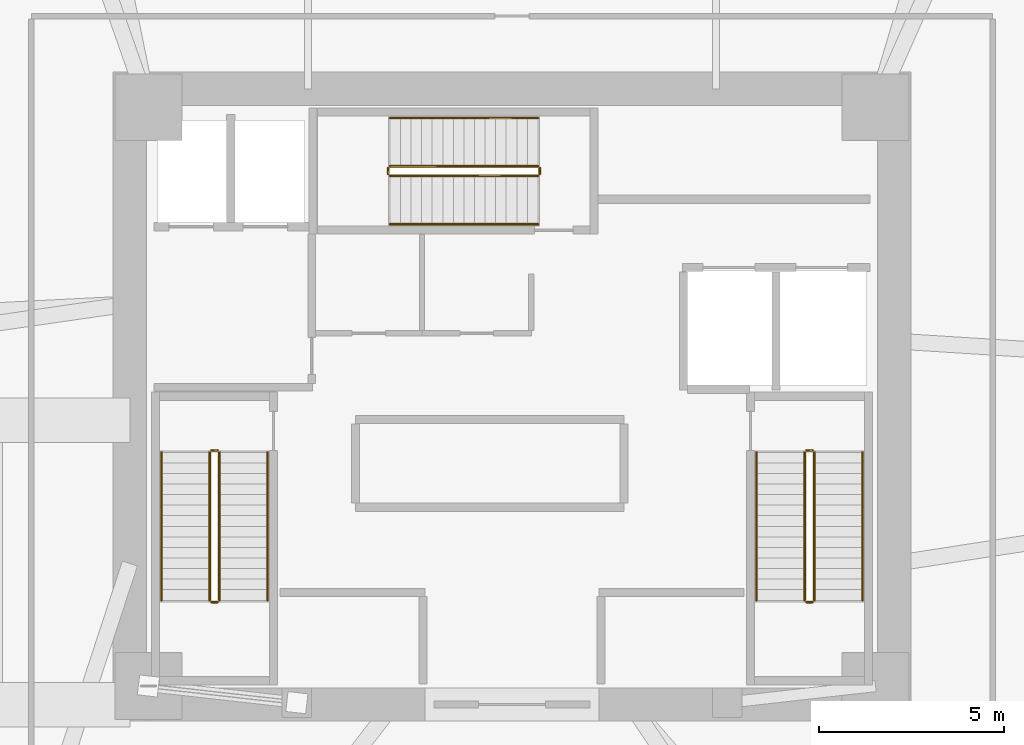
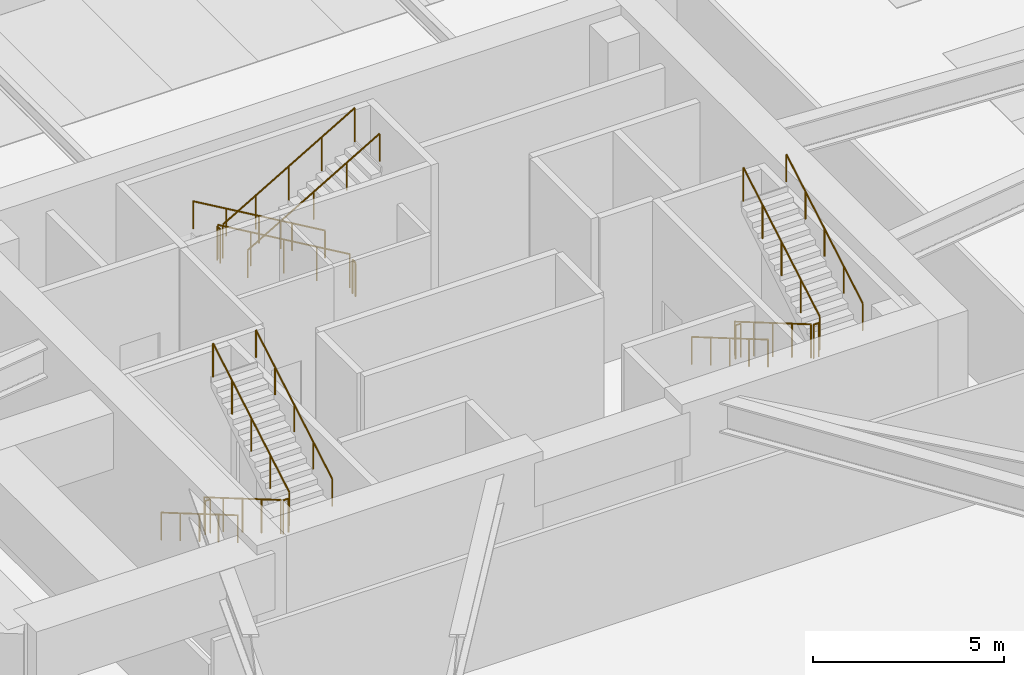
# One storey, part 8 of 8: 18 railings.
"""IFC4 building model written with IfcOpenShell, lengths in metres."""

import ifcopenshell
import ifcopenshell.guid

model = None  # the IFC model being written
_history = None  # IfcOwnerHistory: only IFC2X3 demands one
_inside = {}  # id of a spatial element -> (the spatial element, [elements in it])
_under = {}  # id of a project, library or spatial element -> (it, [spatial elements below it])
_declared = {}  # id of a project -> (the project, [libraries it declares])
_typed = {}  # id of a type object -> (the type object, [elements of that type])
_made_of = {}  # id of a material, layer set ... -> (it, [elements and type objects made of it])


def new_model(schema):
    """Start an empty IFC model of exactly this schema.

    Asked for "IFC4X3", IfcOpenShell would pick the latest addendum, in which some entities
    have other attributes; the version numbers below select the first issue.
    IFC2X3 requires an IfcOwnerHistory on every rooted entity: one is made here for all.
    """
    global model, _history
    if schema == "IFC4X3":
        model = ifcopenshell.file(schema_version=(4, 3, 0, 0))
    else:
        model = ifcopenshell.file(schema=schema)
    _inside.clear()
    _under.clear()
    _declared.clear()
    _typed.clear()
    _made_of.clear()
    _history = None
    if model.schema == "IFC2X3":
        org = make("IfcOrganization", Name="unknown")
        user = make(
            "IfcPersonAndOrganization",
            ThePerson=make("IfcPerson", FamilyName="unknown"),
            TheOrganization=org,
        )
        app = make(
            "IfcApplication",
            ApplicationDeveloper=org,
            Version="unknown",
            ApplicationFullName="unknown",
            ApplicationIdentifier="unknown",
        )
        _history = make(
            "IfcOwnerHistory",
            OwningUser=user,
            OwningApplication=app,
            ChangeAction="ADDED",
            CreationDate=0,
        )
    return model


def make(cls, **values):
    """One entity of the class cls with the attributes given. An attribute that is None is left unset."""
    return model.create_entity(
        cls, **{name: value for name, value in values.items() if value is not None}
    )


def rooted(cls, **values):
    """An entity with a GlobalId (a new one), such as an element, a storey or a relation."""
    return make(cls, GlobalId=ifcopenshell.guid.new(), OwnerHistory=_history, **values)


def si_unit(unit_type, name, prefix=None):
    """IfcSIUnit, for example si_unit("LENGTHUNIT", "METRE", prefix="MILLI")."""
    return make("IfcSIUnit", UnitType=unit_type, Prefix=prefix, Name=name)


def assignment(units):
    """IfcUnitAssignment: the units of a project."""
    return None if units is None else make("IfcUnitAssignment", Units=units)


def point(xyz):
    """IfcCartesianPoint."""
    return None if xyz is None else make("IfcCartesianPoint", Coordinates=xyz)


def direction(xyz):
    """IfcDirection."""
    return None if xyz is None else make("IfcDirection", DirectionRatios=xyz)


def frame(location, z_axis=None, x_axis=None):
    """IfcAxis2Placement3D, a coordinate frame: its origin and axes. An axis left out is left unset."""
    return make(
        "IfcAxis2Placement3D",
        Location=point(location),
        Axis=direction(z_axis),
        RefDirection=direction(x_axis),
    )


def frame_2d(location, x_axis=None):
    """IfcAxis2Placement2D, a coordinate frame in the plane: its origin and x axis."""
    return make(
        "IfcAxis2Placement2D", Location=point(location), RefDirection=direction(x_axis)
    )


def origin():
    """The frame at (0, 0, 0) with its axes left unset."""
    return frame((0.0, 0.0, 0.0))


def origin_2d():
    """The frame at (0, 0) in the plane with its x axis left unset."""
    return frame_2d((0.0, 0.0))


def place(relative_to, where):
    """IfcLocalPlacement: puts the frame where relative to a parent placement (None: the world)."""
    return make(
        "IfcLocalPlacement", PlacementRelTo=relative_to, RelativePlacement=where
    )


def context(
    kind, dimensions, precision=None, world=None, true_north=None, identifier=None
):
    """IfcGeometricRepresentationContext, for example the 3D "Model" context."""
    return make(
        "IfcGeometricRepresentationContext",
        ContextIdentifier=identifier,
        ContextType=kind,
        CoordinateSpaceDimension=dimensions,
        Precision=precision,
        WorldCoordinateSystem=world,
        TrueNorth=true_north,
    )


def subcontext(parent, identifier, kind, view, scale=None):
    """IfcGeometricRepresentationSubContext, for example "Body" below "Model"."""
    return make(
        "IfcGeometricRepresentationSubContext",
        ContextIdentifier=identifier,
        ContextType=kind,
        ParentContext=parent,
        TargetScale=scale,
        TargetView=view,
    )


def project(units=None, contexts=None):
    """IfcProject with its units and contexts."""
    return rooted(
        "IfcProject",
        Name="project",
        RepresentationContexts=contexts,
        UnitsInContext=assignment(units),
    )


def spatial(cls, under=None, at=None, **own):
    """A site, building, storey or space (cls), placed at a placement, below another one or the project."""
    s = rooted(cls, ObjectPlacement=at, **own)
    if under is not None:
        _under.setdefault(under.id(), (under, []))[1].append(s)
    return s


def profile(cls, at=None, kind="AREA", **sizes):
    """A parametric profile (cls). Its sizes go by their IFC names, for example OverallWidth=200.0."""
    return make(cls, ProfileType=kind, Position=at, **sizes)


def circle(**sizes):
    """IfcCircleProfileDef."""
    return profile("IfcCircleProfileDef", **sizes)


def extrude(swept, where, along, depth):
    """IfcExtrudedAreaSolid: the profile swept, set in the frame where, extruded along a direction by depth."""
    return make(
        "IfcExtrudedAreaSolid",
        SweptArea=swept,
        Position=where,
        ExtrudedDirection=direction(along),
        Depth=depth,
    )


def shape(context_of_items, identifier, shape_type, items):
    """IfcShapeRepresentation: the items that make up one representation, for example the "Body"."""
    return make(
        "IfcShapeRepresentation",
        ContextOfItems=context_of_items,
        RepresentationIdentifier=identifier,
        RepresentationType=shape_type,
        Items=items,
    )


def material(Name=None, Category=None):
    """IfcMaterial."""
    return make("IfcMaterial", Name=Name, Category=Category)


def made_of(thing, what):
    """Note that an element or type object is made of a material, layer set ...; save() writes the relation."""
    if what is not None:
        _made_of.setdefault(what.id(), (what, []))[1].append(thing)
    return thing


def type_object(cls, material=None, **own):
    """A type object (cls), such as IfcWallType, which elements share."""
    return made_of(rooted(cls, **own), material)


def element(
    cls,
    number,
    at=None,
    inside=None,
    cuts=None,
    type_object=None,
    material=None,
    context=None,
    identifier="Body",
    shape_type=None,
    held_by="IfcProductDefinitionShape",
    body=None,
    shapes=None,
    **own,
):
    """One element of the class cls, such as IfcWall. Its Tag is "e" and its number.

    at: its placement. inside: the storey or other place that contains it. cuts: it is an
    opening in that element (IfcRelVoidsElement). A single representation is given by context,
    identifier, shape_type and body (its items); several are given by shapes. held_by: the class
    of the entity that holds the representations. save() writes the other relations.
    """
    e = rooted(cls, Tag="e%d" % number, ObjectPlacement=at, **own)
    if body is not None:
        shapes = [shape(context, identifier, shape_type, body)]
    if shapes is not None:
        e.Representation = make(held_by, Representations=shapes)
    if inside is not None:
        _inside.setdefault(inside.id(), (inside, []))[1].append(e)
    if cuts is not None:
        rooted(
            "IfcRelVoidsElement", RelatingBuildingElement=cuts, RelatedOpeningElement=e
        )
    if type_object is not None:
        _typed.setdefault(type_object.id(), (type_object, []))[1].append(e)
    return made_of(e, material)


def aggregate(whole, parts):
    """IfcRelAggregates: a whole, such as a stair, and the parts it consists of."""
    return rooted("IfcRelAggregates", RelatingObject=whole, RelatedObjects=parts)


def save(model, path):
    """Write the relations noted so far, then the file.

    IfcRelAggregates (storeys below a building ...), IfcRelContainedInSpatialStructure (elements
    in a storey), IfcRelDefinesByType, IfcRelAssociatesMaterial and IfcRelDeclares: one each for
    every whole, place, type object, material and project.
    """
    for whole, parts in _under.values():
        aggregate(whole, parts)
    for where, things in _inside.values():
        rooted(
            "IfcRelContainedInSpatialStructure",
            RelatedElements=things,
            RelatingStructure=where,
        )
    for kind, things in _typed.values():
        rooted("IfcRelDefinesByType", RelatedObjects=things, RelatingType=kind)
    for what, things in _made_of.values():
        rooted("IfcRelAssociatesMaterial", RelatedObjects=things, RelatingMaterial=what)
    for by, libraries in _declared.values():
        rooted("IfcRelDeclares", RelatingContext=by, RelatedDefinitions=libraries)
    model.write(path)


model = new_model("IFC4")

# Units and contexts
model_context = context("Model", 3, precision=1e-05, world=origin(), true_north=direction((0.0, 1.0)))
body_context = subcontext(model_context, "Body", "Model", "MODEL_VIEW")
ifc_project = project(units=[si_unit("LENGTHUNIT", "METRE"), si_unit("AREAUNIT", "SQUARE_METRE"), si_unit("VOLUMEUNIT", "CUBIC_METRE"), si_unit("PLANEANGLEUNIT", "RADIAN"), si_unit("MASSUNIT", "GRAM", prefix="KILO")], contexts=[model_context])

# Site, building, storey
site_placement = place(None, origin())
site = spatial("IfcSite", under=ifc_project, at=site_placement, CompositionType="ELEMENT")
building_placement = place(site_placement, origin())
building = spatial("IfcBuilding", under=site, at=building_placement, Name="Durnholm Broadcast Tower", CompositionType="ELEMENT")
storey_placement = place(building_placement, frame((0.0, 0.0, -5.0)))
storey = spatial("IfcBuildingStorey", under=building, at=storey_placement, Name="B01", CompositionType="ELEMENT", Elevation=-5.0)

# Railings
ifc_material_1 = material(Name="Painted Tubular Steel Stair Guardrail", Category="steel")
railing_type_1 = type_object("IfcRailingType", Name="RAIL-ST-GRD", PredefinedType="GUARDRAIL", material=ifc_material_1)
railing_1_placement = place(storey_placement, frame((-8.14990234375, -1.5, 0.166748046875)))
element("IfcRailing", 1, at=railing_1_placement, inside=storey, type_object=railing_type_1, Name="B01 ST-1 stair guard 1", PredefinedType="GUARDRAIL", context=body_context, shape_type="SweptSolid", body=[
    extrude(circle(Radius=0.02392578125, at=origin_2d()), frame((0.0, 0.0, 1.076171875), z_axis=(0.0, -0.863236243904, 0.504800145811), x_axis=(1.0, 0.0, 0.0)), (0.0, 0.0, 1.0), 4.6220703125),
    extrude(circle(Radius=0.02099609375, at=origin_2d()), origin(), (0.0, 0.0, 1.0), 1.052001953125),
    extrude(circle(Radius=0.02099609375, at=origin_2d()), frame((0.0, -0.99755859375, 0.583251953125)), (0.0, 0.0, 1.0), 1.052001953125),
    extrude(circle(Radius=0.02099609375, at=origin_2d()), frame((0.0, -1.9951171875, 1.16650390625)), (0.0, 0.0, 1.0), 1.052001953125),
    extrude(circle(Radius=0.02099609375, at=origin_2d()), frame((0.0, -2.992431640625, 1.75)), (0.0, 0.0, 1.0), 1.052001953125),
    extrude(circle(Radius=0.02099609375, at=origin_2d()), frame((0.0, -3.989990234375, 2.333251953125)), (0.0, 0.0, 1.0), 1.052001953125),
])
railing_2_placement = place(storey_placement, frame((-8.10009765625, -5.5400390625, 2.5)))
element("IfcRailing", 2, at=railing_2_placement, inside=storey, type_object=railing_type_1, Name="B01 ST-1 stair guard 2", PredefinedType="GUARDRAIL", context=body_context, shape_type="SweptSolid", body=[
    extrude(circle(Radius=0.02392578125, at=origin_2d()), frame((0.0, 0.0, 1.076171875), z_axis=(1.0, 0.0, 0.0), x_axis=(0.0, 1.0, 0.0)), (0.0, 0.0, 1.0), 0.16015625),
    extrude(circle(Radius=0.02099609375, at=origin_2d()), origin(), (0.0, 0.0, 1.0), 1.052001953125),
    extrude(circle(Radius=0.02099609375, at=origin_2d()), frame((0.16015625, 0.0, 0.0)), (0.0, 0.0, 1.0), 1.052001953125),
])
railing_3_placement = place(storey_placement, frame((-7.889892578125, -5.489990234375, 2.666748046875)))
element("IfcRailing", 3, at=railing_3_placement, inside=storey, type_object=railing_type_1, Name="B01 ST-1 stair guard 3", PredefinedType="GUARDRAIL", context=body_context, shape_type="SweptSolid", body=[
    extrude(circle(Radius=0.02392578125, at=origin_2d()), frame((0.0, 0.0, 1.076171875), z_axis=(0.0, 0.863236243904, 0.504800145811), x_axis=(-1.0, 0.0, 0.0)), (0.0, 0.0, 1.0), 4.6220703125),
    extrude(circle(Radius=0.02099609375, at=origin_2d()), origin(), (0.0, 0.0, 1.0), 1.052001953125),
    extrude(circle(Radius=0.02099609375, at=origin_2d()), frame((0.0, 0.99755859375, 0.583251953125)), (0.0, 0.0, 1.0), 1.052001953125),
    extrude(circle(Radius=0.02099609375, at=origin_2d()), frame((0.0, 1.9951171875, 1.16650390625)), (0.0, 0.0, 1.0), 1.052001953125),
    extrude(circle(Radius=0.02099609375, at=origin_2d()), frame((0.0, 2.992431640625, 1.75)), (0.0, 0.0, 1.0), 1.052001953125),
    extrude(circle(Radius=0.02099609375, at=origin_2d()), frame((0.0, 3.989990234375, 2.333251953125)), (0.0, 0.0, 1.0), 1.052001953125),
])
railing_4_placement = place(storey_placement, frame((-8.10009765625, -1.449951171875, 0.0)))
element("IfcRailing", 4, at=railing_4_placement, inside=storey, type_object=railing_type_1, Name="B01 ST-1 stair guard 4", PredefinedType="GUARDRAIL", context=body_context, shape_type="SweptSolid", body=[
    extrude(circle(Radius=0.02392578125, at=origin_2d()), frame((0.0, 0.0, 1.076171875), z_axis=(1.0, 0.0, 0.0), x_axis=(0.0, 1.0, 0.0)), (0.0, 0.0, 1.0), 0.16015625),
    extrude(circle(Radius=0.02099609375, at=origin_2d()), origin(), (0.0, 0.0, 1.0), 1.052001953125),
    extrude(circle(Radius=0.02099609375, at=origin_2d()), frame((0.16015625, 0.0, 0.0)), (0.0, 0.0, 1.0), 1.052001953125),
])
railing_5_placement = place(storey_placement, frame((7.889892578125, -1.5, 0.166748046875)))
element("IfcRailing", 5, at=railing_5_placement, inside=storey, type_object=railing_type_1, Name="B01 ST-2 stair guard 1", PredefinedType="GUARDRAIL", context=body_context, shape_type="SweptSolid", body=[
    extrude(circle(Radius=0.02392578125, at=origin_2d()), frame((0.0, 0.0, 1.076171875), z_axis=(0.0, -0.863236243904, 0.504800145811), x_axis=(1.0, 0.0, 0.0)), (0.0, 0.0, 1.0), 4.6220703125),
    extrude(circle(Radius=0.02099609375, at=origin_2d()), origin(), (0.0, 0.0, 1.0), 1.052001953125),
    extrude(circle(Radius=0.02099609375, at=origin_2d()), frame((0.0, -0.99755859375, 0.583251953125)), (0.0, 0.0, 1.0), 1.052001953125),
    extrude(circle(Radius=0.02099609375, at=origin_2d()), frame((0.0, -1.9951171875, 1.16650390625)), (0.0, 0.0, 1.0), 1.052001953125),
    extrude(circle(Radius=0.02099609375, at=origin_2d()), frame((0.0, -2.992431640625, 1.75)), (0.0, 0.0, 1.0), 1.052001953125),
    extrude(circle(Radius=0.02099609375, at=origin_2d()), frame((0.0, -3.989990234375, 2.333251953125)), (0.0, 0.0, 1.0), 1.052001953125),
])
railing_6_placement = place(storey_placement, frame((7.93994140625, -5.5400390625, 2.5)))
element("IfcRailing", 6, at=railing_6_placement, inside=storey, type_object=railing_type_1, Name="B01 ST-2 stair guard 2", PredefinedType="GUARDRAIL", context=body_context, shape_type="SweptSolid", body=[
    extrude(circle(Radius=0.02392578125, at=origin_2d()), frame((0.0, 0.0, 1.076171875), z_axis=(1.0, 0.0, 0.0), x_axis=(0.0, 1.0, 0.0)), (0.0, 0.0, 1.0), 0.16015625),
    extrude(circle(Radius=0.02099609375, at=origin_2d()), origin(), (0.0, 0.0, 1.0), 1.052001953125),
    extrude(circle(Radius=0.02099609375, at=origin_2d()), frame((0.16015625, 0.0, 0.0)), (0.0, 0.0, 1.0), 1.052001953125),
])
railing_7_placement = place(storey_placement, frame((8.14990234375, -5.489990234375, 2.666748046875)))
element("IfcRailing", 7, at=railing_7_placement, inside=storey, type_object=railing_type_1, Name="B01 ST-2 stair guard 3", PredefinedType="GUARDRAIL", context=body_context, shape_type="SweptSolid", body=[
    extrude(circle(Radius=0.02392578125, at=origin_2d()), frame((0.0, 0.0, 1.076171875), z_axis=(0.0, 0.863236243904, 0.504800145811), x_axis=(-1.0, 0.0, 0.0)), (0.0, 0.0, 1.0), 4.6220703125),
    extrude(circle(Radius=0.02099609375, at=origin_2d()), origin(), (0.0, 0.0, 1.0), 1.052001953125),
    extrude(circle(Radius=0.02099609375, at=origin_2d()), frame((0.0, 0.99755859375, 0.583251953125)), (0.0, 0.0, 1.0), 1.052001953125),
    extrude(circle(Radius=0.02099609375, at=origin_2d()), frame((0.0, 1.9951171875, 1.16650390625)), (0.0, 0.0, 1.0), 1.052001953125),
    extrude(circle(Radius=0.02099609375, at=origin_2d()), frame((0.0, 2.992431640625, 1.75)), (0.0, 0.0, 1.0), 1.052001953125),
    extrude(circle(Radius=0.02099609375, at=origin_2d()), frame((0.0, 3.989990234375, 2.333251953125)), (0.0, 0.0, 1.0), 1.052001953125),
])
railing_8_placement = place(storey_placement, frame((7.93994140625, -1.449951171875, 0.0)))
element("IfcRailing", 8, at=railing_8_placement, inside=storey, type_object=railing_type_1, Name="B01 ST-2 stair guard 4", PredefinedType="GUARDRAIL", context=body_context, shape_type="SweptSolid", body=[
    extrude(circle(Radius=0.02392578125, at=origin_2d()), frame((0.0, 0.0, 1.076171875), z_axis=(1.0, 0.0, 0.0), x_axis=(0.0, 1.0, 0.0)), (0.0, 0.0, 1.0), 0.16015625),
    extrude(circle(Radius=0.02099609375, at=origin_2d()), origin(), (0.0, 0.0, 1.0), 1.052001953125),
    extrude(circle(Radius=0.02099609375, at=origin_2d()), frame((0.16015625, 0.0, 0.0)), (0.0, 0.0, 1.0), 1.052001953125),
])
railing_9_placement = place(storey_placement, frame((0.699951171875, 6.2099609375, 0.166748046875)))
element("IfcRailing", 9, at=railing_9_placement, inside=storey, type_object=railing_type_1, Name="B01 ST-3 stair guard 1", PredefinedType="GUARDRAIL", context=body_context, shape_type="SweptSolid", body=[
    extrude(circle(Radius=0.02392578125, at=origin_2d()), frame((0.0, 0.0, 1.076171875), z_axis=(-0.863236243904, 0.0, 0.504800145811), x_axis=(0.0, -1.0, 0.0)), (0.0, 0.0, 1.0), 4.6220703125),
    extrude(circle(Radius=0.02099609375, at=origin_2d()), origin(), (0.0, 0.0, 1.0), 1.052001953125),
    extrude(circle(Radius=0.02099609375, at=origin_2d()), frame((-0.99755859375, 0.0, 0.583251953125)), (0.0, 0.0, 1.0), 1.052001953125),
    extrude(circle(Radius=0.02099609375, at=origin_2d()), frame((-1.9951171875, 0.0, 1.16650390625)), (0.0, 0.0, 1.0), 1.052001953125),
    extrude(circle(Radius=0.02099609375, at=origin_2d()), frame((-2.992431640625, 0.0, 1.75)), (0.0, 0.0, 1.0), 1.052001953125),
    extrude(circle(Radius=0.02099609375, at=origin_2d()), frame((-3.989990234375, 0.0, 2.333251953125)), (0.0, 0.0, 1.0), 1.052001953125),
])
railing_10_placement = place(storey_placement, frame((-3.340087890625, 6.159912109375, 2.5)))
element("IfcRailing", 10, at=railing_10_placement, inside=storey, type_object=railing_type_1, Name="B01 ST-3 stair guard 2", PredefinedType="GUARDRAIL", context=body_context, shape_type="SweptSolid", body=[
    extrude(circle(Radius=0.02392578125, at=origin_2d()), frame((0.0, 0.0, 1.076171875), z_axis=(0.0, -1.0, 0.0), x_axis=(1.0, 0.0, 0.0)), (0.0, 0.0, 1.0), 0.159912109375),
    extrude(circle(Radius=0.02099609375, at=origin_2d()), origin(), (0.0, 0.0, 1.0), 1.052001953125),
    extrude(circle(Radius=0.02099609375, at=origin_2d()), frame((0.0, -0.159912109375, 0.0)), (0.0, 0.0, 1.0), 1.052001953125),
])
railing_11_placement = place(storey_placement, frame((-3.2900390625, 5.949951171875, 2.666748046875)))
element("IfcRailing", 11, at=railing_11_placement, inside=storey, type_object=railing_type_1, Name="B01 ST-3 stair guard 3", PredefinedType="GUARDRAIL", context=body_context, shape_type="SweptSolid", body=[
    extrude(circle(Radius=0.02392578125, at=origin_2d()), frame((0.0, 0.0, 1.076171875), z_axis=(0.863236243904, 0.0, 0.504800145811), x_axis=(0.0, 1.0, 0.0)), (0.0, 0.0, 1.0), 4.6220703125),
    extrude(circle(Radius=0.02099609375, at=origin_2d()), origin(), (0.0, 0.0, 1.0), 1.052001953125),
    extrude(circle(Radius=0.02099609375, at=origin_2d()), frame((0.99755859375, 0.0, 0.583251953125)), (0.0, 0.0, 1.0), 1.052001953125),
    extrude(circle(Radius=0.02099609375, at=origin_2d()), frame((1.9951171875, 0.0, 1.16650390625)), (0.0, 0.0, 1.0), 1.052001953125),
    extrude(circle(Radius=0.02099609375, at=origin_2d()), frame((2.992431640625, 0.0, 1.75)), (0.0, 0.0, 1.0), 1.052001953125),
    extrude(circle(Radius=0.02099609375, at=origin_2d()), frame((3.989990234375, 0.0, 2.333251953125)), (0.0, 0.0, 1.0), 1.052001953125),
])
railing_12_placement = place(storey_placement, frame((0.75, 6.159912109375, 0.0)))
element("IfcRailing", 12, at=railing_12_placement, inside=storey, type_object=railing_type_1, Name="B01 ST-3 stair guard 4", PredefinedType="GUARDRAIL", context=body_context, shape_type="SweptSolid", body=[
    extrude(circle(Radius=0.02392578125, at=origin_2d()), frame((0.0, 0.0, 1.076171875), z_axis=(0.0, -1.0, 0.0), x_axis=(1.0, 0.0, 0.0)), (0.0, 0.0, 1.0), 0.159912109375),
    extrude(circle(Radius=0.02099609375, at=origin_2d()), origin(), (0.0, 0.0, 1.0), 1.052001953125),
    extrude(circle(Radius=0.02099609375, at=origin_2d()), frame((0.0, -0.159912109375, 0.0)), (0.0, 0.0, 1.0), 1.052001953125),
])
ifc_material_2 = material(Name="Brushed Stainless Steel Handrail", Category="steel")
railing_type_2 = type_object("IfcRailingType", Name="RAIL-ST-HND", PredefinedType="HANDRAIL", material=ifc_material_2)
railing_13_placement = place(storey_placement, frame((-9.449951171875, -1.5, 0.333251953125)))
element("IfcRailing", 13, at=railing_13_placement, inside=storey, type_object=railing_type_2, Name="B01 ST-1 stair handrail 1", PredefinedType="HANDRAIL", context=body_context, shape_type="SweptSolid", body=[
    extrude(circle(Radius=0.02392578125, at=origin_2d()), frame((0.0, 0.0, 0.8759765625), z_axis=(0.0, -0.86321322671, 0.50483950443), x_axis=(1.0, 0.0, 0.0)), (0.0, 0.0, 1.0), 4.622314453125),
    extrude(circle(Radius=0.02099609375, at=origin_2d()), origin(), (0.0, 0.0, 1.0), 0.851806640625),
    extrude(circle(Radius=0.02099609375, at=origin_2d()), frame((0.0, -0.99755859375, 0.58349609375)), (0.0, 0.0, 1.0), 0.851806640625),
    extrude(circle(Radius=0.02099609375, at=origin_2d()), frame((0.0, -1.9951171875, 1.166748046875)), (0.0, 0.0, 1.0), 0.851806640625),
    extrude(circle(Radius=0.02099609375, at=origin_2d()), frame((0.0, -2.992431640625, 1.75)), (0.0, 0.0, 1.0), 0.851806640625),
    extrude(circle(Radius=0.02099609375, at=origin_2d()), frame((0.0, -3.989990234375, 2.33349609375)), (0.0, 0.0, 1.0), 0.851806640625),
])
railing_14_placement = place(storey_placement, frame((-6.590087890625, -5.489990234375, 2.833251953125)))
element("IfcRailing", 14, at=railing_14_placement, inside=storey, type_object=railing_type_2, Name="B01 ST-1 stair handrail 2", PredefinedType="HANDRAIL", context=body_context, shape_type="SweptSolid", body=[
    extrude(circle(Radius=0.02392578125, at=origin_2d()), frame((0.0, 0.0, 0.8759765625), z_axis=(0.0, 0.86321322671, 0.50483950443), x_axis=(-1.0, 0.0, 0.0)), (0.0, 0.0, 1.0), 4.622314453125),
    extrude(circle(Radius=0.02099609375, at=origin_2d()), origin(), (0.0, 0.0, 1.0), 0.851806640625),
    extrude(circle(Radius=0.02099609375, at=origin_2d()), frame((0.0, 0.99755859375, 0.58349609375)), (0.0, 0.0, 1.0), 0.851806640625),
    extrude(circle(Radius=0.02099609375, at=origin_2d()), frame((0.0, 1.9951171875, 1.166748046875)), (0.0, 0.0, 1.0), 0.851806640625),
    extrude(circle(Radius=0.02099609375, at=origin_2d()), frame((0.0, 2.992431640625, 1.75)), (0.0, 0.0, 1.0), 0.851806640625),
    extrude(circle(Radius=0.02099609375, at=origin_2d()), frame((0.0, 3.989990234375, 2.33349609375)), (0.0, 0.0, 1.0), 0.851806640625),
])
railing_15_placement = place(storey_placement, frame((6.590087890625, -1.5, 0.333251953125)))
element("IfcRailing", 15, at=railing_15_placement, inside=storey, type_object=railing_type_2, Name="B01 ST-2 stair handrail 1", PredefinedType="HANDRAIL", context=body_context, shape_type="SweptSolid", body=[
    extrude(circle(Radius=0.02392578125, at=origin_2d()), frame((0.0, 0.0, 0.8759765625), z_axis=(0.0, -0.86321322671, 0.50483950443), x_axis=(1.0, 0.0, 0.0)), (0.0, 0.0, 1.0), 4.622314453125),
    extrude(circle(Radius=0.02099609375, at=origin_2d()), origin(), (0.0, 0.0, 1.0), 0.851806640625),
    extrude(circle(Radius=0.02099609375, at=origin_2d()), frame((0.0, -0.99755859375, 0.58349609375)), (0.0, 0.0, 1.0), 0.851806640625),
    extrude(circle(Radius=0.02099609375, at=origin_2d()), frame((0.0, -1.9951171875, 1.166748046875)), (0.0, 0.0, 1.0), 0.851806640625),
    extrude(circle(Radius=0.02099609375, at=origin_2d()), frame((0.0, -2.992431640625, 1.75)), (0.0, 0.0, 1.0), 0.851806640625),
    extrude(circle(Radius=0.02099609375, at=origin_2d()), frame((0.0, -3.989990234375, 2.33349609375)), (0.0, 0.0, 1.0), 0.851806640625),
])
railing_16_placement = place(storey_placement, frame((9.449951171875, -5.489990234375, 2.833251953125)))
element("IfcRailing", 16, at=railing_16_placement, inside=storey, type_object=railing_type_2, Name="B01 ST-2 stair handrail 2", PredefinedType="HANDRAIL", context=body_context, shape_type="SweptSolid", body=[
    extrude(circle(Radius=0.02392578125, at=origin_2d()), frame((0.0, 0.0, 0.8759765625), z_axis=(0.0, 0.86321322671, 0.50483950443), x_axis=(-1.0, 0.0, 0.0)), (0.0, 0.0, 1.0), 4.622314453125),
    extrude(circle(Radius=0.02099609375, at=origin_2d()), origin(), (0.0, 0.0, 1.0), 0.851806640625),
    extrude(circle(Radius=0.02099609375, at=origin_2d()), frame((0.0, 0.99755859375, 0.58349609375)), (0.0, 0.0, 1.0), 0.851806640625),
    extrude(circle(Radius=0.02099609375, at=origin_2d()), frame((0.0, 1.9951171875, 1.166748046875)), (0.0, 0.0, 1.0), 0.851806640625),
    extrude(circle(Radius=0.02099609375, at=origin_2d()), frame((0.0, 2.992431640625, 1.75)), (0.0, 0.0, 1.0), 0.851806640625),
    extrude(circle(Radius=0.02099609375, at=origin_2d()), frame((0.0, 3.989990234375, 2.33349609375)), (0.0, 0.0, 1.0), 0.851806640625),
])
railing_17_placement = place(storey_placement, frame((0.699951171875, 7.510009765625, 0.333251953125)))
element("IfcRailing", 17, at=railing_17_placement, inside=storey, type_object=railing_type_2, Name="B01 ST-3 stair handrail 1", PredefinedType="HANDRAIL", context=body_context, shape_type="SweptSolid", body=[
    extrude(circle(Radius=0.02392578125, at=origin_2d()), frame((0.0, 0.0, 0.8759765625), z_axis=(-0.86321322671, 0.0, 0.50483950443), x_axis=(0.0, -1.0, 0.0)), (0.0, 0.0, 1.0), 4.622314453125),
    extrude(circle(Radius=0.02099609375, at=origin_2d()), origin(), (0.0, 0.0, 1.0), 0.851806640625),
    extrude(circle(Radius=0.02099609375, at=origin_2d()), frame((-0.99755859375, 0.0, 0.58349609375)), (0.0, 0.0, 1.0), 0.851806640625),
    extrude(circle(Radius=0.02099609375, at=origin_2d()), frame((-1.9951171875, 0.0, 1.166748046875)), (0.0, 0.0, 1.0), 0.851806640625),
    extrude(circle(Radius=0.02099609375, at=origin_2d()), frame((-2.992431640625, 0.0, 1.75)), (0.0, 0.0, 1.0), 0.851806640625),
    extrude(circle(Radius=0.02099609375, at=origin_2d()), frame((-3.989990234375, 0.0, 2.33349609375)), (0.0, 0.0, 1.0), 0.851806640625),
])
railing_18_placement = place(storey_placement, frame((-3.2900390625, 4.64990234375, 2.833251953125)))
element("IfcRailing", 18, at=railing_18_placement, inside=storey, type_object=railing_type_2, Name="B01 ST-3 stair handrail 2", PredefinedType="HANDRAIL", context=body_context, shape_type="SweptSolid", body=[
    extrude(circle(Radius=0.02392578125, at=origin_2d()), frame((0.0, 0.0, 0.8759765625), z_axis=(0.86321322671, 0.0, 0.50483950443), x_axis=(0.0, 1.0, 0.0)), (0.0, 0.0, 1.0), 4.622314453125),
    extrude(circle(Radius=0.02099609375, at=origin_2d()), origin(), (0.0, 0.0, 1.0), 0.851806640625),
    extrude(circle(Radius=0.02099609375, at=origin_2d()), frame((0.99755859375, 0.0, 0.58349609375)), (0.0, 0.0, 1.0), 0.851806640625),
    extrude(circle(Radius=0.02099609375, at=origin_2d()), frame((1.9951171875, 0.0, 1.166748046875)), (0.0, 0.0, 1.0), 0.851806640625),
    extrude(circle(Radius=0.02099609375, at=origin_2d()), frame((2.992431640625, 0.0, 1.75)), (0.0, 0.0, 1.0), 0.851806640625),
    extrude(circle(Radius=0.02099609375, at=origin_2d()), frame((3.989990234375, 0.0, 2.33349609375)), (0.0, 0.0, 1.0), 0.851806640625),
])

save(model, "model.ifc")
